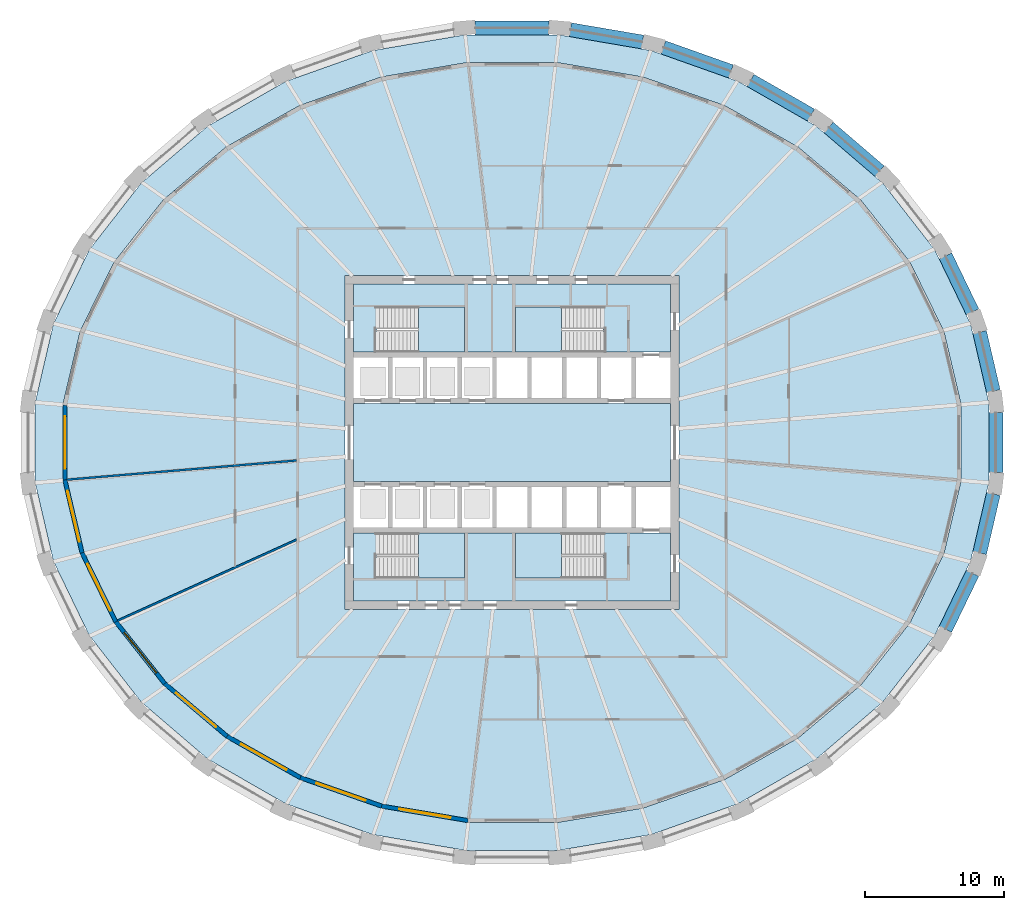
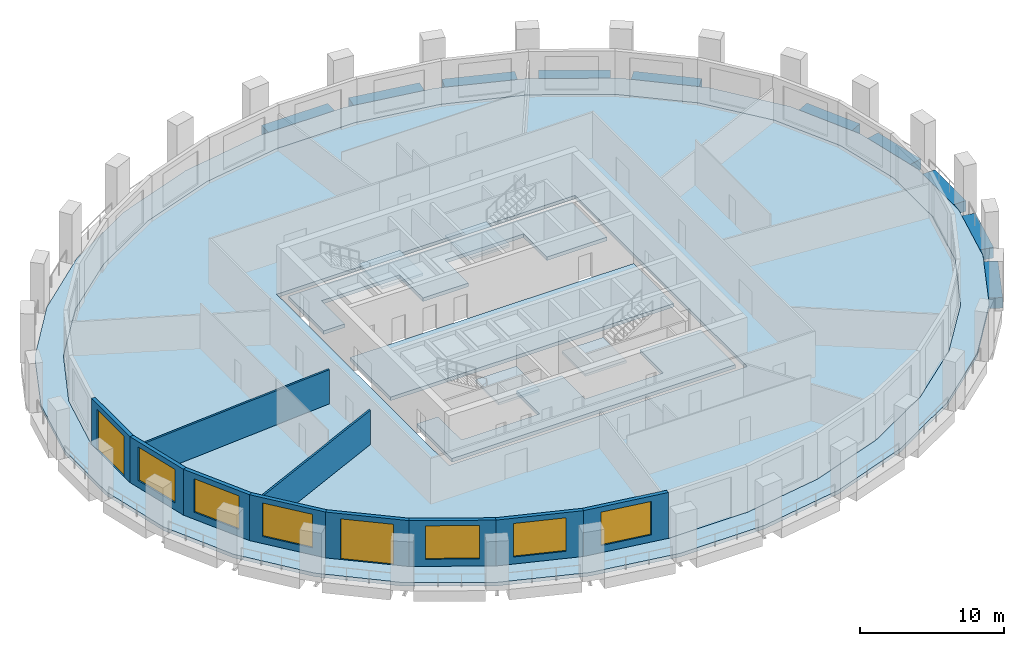
# One storey, part 2 of 10: 10 beams, 10 walls, 9 slabs, 6 windows, 2 doors, 8 openings, 4 elements without a shape of their own.
"""IFC4 building model written with IfcOpenShell, lengths in metres."""

from ifc_helpers import new_model, si_unit, direction, frame, frame_2d, origin, origin_2d, place, context, subcontext, project, spatial, polyline, rectangle, outline, extrude, material, layer, layer_set, material_profile, profile_set, type_object, element, fill, aggregate, save


model = new_model("IFC4")

# Units and contexts
model_context = context("Model", 3, precision=1e-05, world=origin(), true_north=direction((0.0, 1.0)))
body_context = subcontext(model_context, "Body", "Model", "MODEL_VIEW")
ifc_project = project(units=[si_unit("LENGTHUNIT", "METRE"), si_unit("AREAUNIT", "SQUARE_METRE"), si_unit("VOLUMEUNIT", "CUBIC_METRE"), si_unit("PLANEANGLEUNIT", "RADIAN"), si_unit("MASSUNIT", "GRAM", prefix="KILO")], contexts=[model_context])

# Site, building, storey
site_placement = place(None, origin())
site = spatial("IfcSite", under=ifc_project, at=site_placement, CompositionType="ELEMENT")
building_placement = place(site_placement, origin())
building = spatial("IfcBuilding", under=site, at=building_placement, Name="Halqa Exchange Tower", CompositionType="ELEMENT")
storey_placement = place(building_placement, frame((0.0, 0.0, 117.10009765625)))
storey = spatial("IfcBuildingStorey", under=building, at=storey_placement, Name="L26", CompositionType="ELEMENT", Elevation=117.10009765625)

# Beams
ifc_material_1 = material(Name="Concrete C60/75", Category="concrete")
ifc_material_profile = material_profile(ifc_material_1, rectangle(XDim=1.0, YDim=0.89990234375, at=origin_2d()), Name="1000 x 900")
ifc_profile_set = profile_set([ifc_material_profile], Name="Concrete C60/75")
beam_type = type_object("IfcBeamType", Name="RC spandrel beam 1000 x 900 C60/75", PredefinedType="SPANDREL", material=ifc_profile_set)
beam_1_placement = place(storey_placement, frame((34.603515625, 3.693115234375, -0.4501953125), z_axis=(-0.226066118641, 0.974111959686, 0.0), x_axis=(-0.974111959686, -0.226066118641, 0.0)))
element("IfcBeam", 1, at=beam_1_placement, inside=storey, type_object=beam_type, Name="Spandrel 1", PredefinedType="SPANDREL", context=body_context, shape_type="SweptSolid", body=[
    extrude(rectangle(XDim=1.0, YDim=0.89990234375, at=origin_2d()), origin(), (0.0, 0.0, 1.0), 4.358642578125),
])
beam_2_placement = place(storey_placement, frame((33.104248046875, 9.3955078125, -0.4501953125), z_axis=(-0.435117021664, 0.900373909805, 0.0), x_axis=(-0.900373909805, -0.435117021664, 0.0)))
element("IfcBeam", 2, at=beam_2_placement, inside=storey, type_object=beam_type, Name="Spandrel 2", PredefinedType="SPANDREL", context=body_context, shape_type="SweptSolid", body=[
    extrude(rectangle(XDim=1.0, YDim=0.89990234375, at=origin_2d()), origin(), (0.0, 0.0, 1.0), 4.471435546875),
])
beam_3_placement = place(storey_placement, frame((26.426513671875, 19.507568359375, -0.4501953125), z_axis=(-0.759285146525, 0.650758070459, 0.0), x_axis=(-0.650758070459, -0.759285146525, 0.0)))
element("IfcBeam", 3, at=beam_3_placement, inside=storey, type_object=beam_type, Name="Spandrel 4", PredefinedType="SPANDREL", context=body_context, shape_type="SweptSolid", body=[
    extrude(rectangle(XDim=1.0, YDim=0.89990234375, at=origin_2d()), origin(), (0.0, 0.0, 1.0), 4.829833984375),
])
beam_4_placement = place(storey_placement, frame((21.498291015625, 23.540283203125, -0.4501953125), z_axis=(-0.867751350461, 0.496998585283, 0.0), x_axis=(-0.496998585283, -0.867751350461, 0.0)))
element("IfcBeam", 4, at=beam_4_placement, inside=storey, type_object=beam_type, Name="Spandrel 5", PredefinedType="SPANDREL", context=body_context, shape_type="SweptSolid", body=[
    extrude(rectangle(XDim=1.0, YDim=0.89990234375, at=origin_2d()), origin(), (0.0, 0.0, 1.0), 5.014404296875),
])
beam_5_placement = place(storey_placement, frame((15.744140625, 26.677001953125, -0.4501953125), z_axis=(-0.942360462003, 0.334599401754, 0.0), x_axis=(-0.334599401754, -0.942360462003, 0.0)))
element("IfcBeam", 5, at=beam_5_placement, inside=storey, type_object=beam_type, Name="Spandrel 6", PredefinedType="SPANDREL", context=body_context, shape_type="SweptSolid", body=[
    extrude(rectangle(XDim=1.0, YDim=0.89990234375, at=origin_2d()), origin(), (0.0, 0.0, 1.0), 5.166015625),
])
beam_6_placement = place(storey_placement, frame((9.38037109375, 28.79541015625, -0.4501953125), z_axis=(-0.985775606533, 0.168066812797, 0.0), x_axis=(-0.168066812797, -0.985775606533, 0.0)))
element("IfcBeam", 6, at=beam_6_placement, inside=storey, type_object=beam_type, Name="Spandrel 7", PredefinedType="SPANDREL", context=body_context, shape_type="SweptSolid", body=[
    extrude(rectangle(XDim=1.0, YDim=0.89990234375, at=origin_2d()), origin(), (0.0, 0.0, 1.0), 5.265869140625),
])
beam_7_placement = place(storey_placement, frame((2.650634765625, 29.810791015625, -0.4501953125), z_axis=(-1.0, 0.0, 0.0), x_axis=(0.0, -1.0, 0.0)))
element("IfcBeam", 7, at=beam_7_placement, inside=storey, type_object=beam_type, Name="Spandrel 8", PredefinedType="SPANDREL", context=body_context, shape_type="SweptSolid", body=[
    extrude(rectangle(XDim=1.0, YDim=0.89990234375, at=origin_2d()), origin(), (0.0, 0.0, 1.0), 5.30126953125),
])
beam_8_placement = place(storey_placement, frame((31.15869140625, -13.42138671875, -0.4501953125), z_axis=(0.435117021664, 0.900373909805, 0.0), x_axis=(-0.900373909805, 0.435117021664, 0.0)))
element("IfcBeam", 8, at=beam_8_placement, inside=storey, type_object=beam_type, Name="Spandrel 30", PredefinedType="SPANDREL", context=body_context, shape_type="SweptSolid", body=[
    extrude(rectangle(XDim=1.0, YDim=0.89990234375, at=origin_2d()), origin(), (0.0, 0.0, 1.0), 4.471435546875),
])
beam_9_placement = place(storey_placement, frame((33.6181640625, -7.93896484375, -0.4501953125), z_axis=(0.226066118641, 0.974111959686, 0.0), x_axis=(-0.974111959686, 0.226066118641, 0.0)))
element("IfcBeam", 9, at=beam_9_placement, inside=storey, type_object=beam_type, Name="Spandrel 31", PredefinedType="SPANDREL", context=body_context, shape_type="SweptSolid", body=[
    extrude(rectangle(XDim=1.0, YDim=0.89990234375, at=origin_2d()), origin(), (0.0, 0.0, 1.0), 4.358642578125),
])
beam_10_placement = place(storey_placement, frame((34.779052734375, -2.15869140625, -0.4501953125), z_axis=(0.0, 1.0, 0.0), x_axis=(-1.0, 0.0, 0.0)))
element("IfcBeam", 10, at=beam_10_placement, inside=storey, type_object=beam_type, Name="Spandrel 32", PredefinedType="SPANDREL", context=body_context, shape_type="SweptSolid", body=[
    extrude(rectangle(XDim=1.0, YDim=0.89990234375, at=origin_2d()), origin(), (0.0, 0.0, 1.0), 4.3173828125),
])

# Slabs
ifc_layer_1 = layer(ifc_material_1, 0.300048828125)
ifc_layer_set_1 = layer_set([ifc_layer_1], Name="Concrete C60/75")
slab_type_1 = type_object("IfcSlabType", Name="Core floor slab 300", PredefinedType="FLOOR", material=ifc_layer_set_1)
slab_1_placement = place(storey_placement, frame((0.0, 0.0, -0.300048828125)))
element("IfcSlab", 11, at=slab_1_placement, inside=storey, type_object=slab_type_1, Name="Core floor slab", PredefinedType="FLOOR", context=body_context, shape_type="SweptSolid", body=[
    extrude(outline(polyline([(-11.39990234375, 2.800048828125), (11.39990234375, 2.800048828125), (11.39990234375, -2.800048828125), (-11.39990234375, -2.800048828125), (-11.39990234375, 2.800048828125)])), origin(), (0.0, 0.0, 1.0), 0.300048828125),
])
slab_2_placement = place(storey_placement, frame((0.0, 0.0, -0.300048828125)))
element("IfcSlab", 12, at=slab_2_placement, inside=storey, type_object=slab_type_1, Name="Core floor slab", PredefinedType="FLOOR", context=body_context, shape_type="SweptSolid", body=[
    extrude(outline(polyline([(-11.39990234375, 11.39990234375), (11.39990234375, 11.39990234375), (11.39990234375, 6.5), (6.550048828125, 6.5), (6.550048828125, 9.75), (0.25, 9.75), (0.25, 6.5), (-3.39990234375, 6.5), (-3.39990234375, 9.75), (-9.699951171875, 9.75), (-9.699951171875, 6.5), (-11.39990234375, 6.5), (-11.39990234375, 11.39990234375)])), origin(), (0.0, 0.0, 1.0), 0.300048828125),
])
slab_3_placement = place(storey_placement, frame((0.0, 0.0, -0.300048828125)))
element("IfcSlab", 13, at=slab_3_placement, inside=storey, type_object=slab_type_1, Name="Core floor slab", PredefinedType="FLOOR", context=body_context, shape_type="SweptSolid", body=[
    extrude(outline(polyline([(-9.699951171875, -9.75), (-3.39990234375, -9.75), (-3.39990234375, -6.5), (0.25, -6.5), (0.25, -9.75), (6.550048828125, -9.75), (6.550048828125, -6.5), (11.39990234375, -6.5), (11.39990234375, -11.39990234375), (-11.39990234375, -11.39990234375), (-11.39990234375, -6.5), (-9.699951171875, -6.5), (-9.699951171875, -9.75)])), origin(), (0.0, 0.0, 1.0), 0.300048828125),
])
ifc_material_2 = material(Name="Concrete C40/50", Category="concrete")
ifc_layer_2 = layer(ifc_material_2, 0.300048828125)
ifc_layer_set_2 = layer_set([ifc_layer_2], Name="Concrete C40/50")
slab_type_2 = type_object("IfcSlabType", Name="RC floor slab 300", PredefinedType="FLOOR", material=ifc_layer_set_2)
slab_4_placement = place(storey_placement, frame((0.0, 0.0, -0.300048828125)))
element("IfcSlab", 14, at=slab_4_placement, inside=storey, type_object=slab_type_2, Name="Floor slab", PredefinedType="FLOOR", context=body_context, shape_type="SweptSolid", body=[
    extrude(outline(polyline([(32.29248046875, 2.6962890625), (31.04736328125, 7.984375), (28.606689453125, 12.961669921875), (25.06689453125, 17.4365234375), (20.566162109375, 21.23828125), (15.2783203125, 24.222900390625), (9.40673828125, 26.277099609375), (3.176025390625, 27.32421875), (-3.176025390625, 27.32421875), (-9.40673828125, 26.277099609375), (-15.2783203125, 24.222900390625), (-20.566162109375, 21.23828125), (-25.06689453125, 17.4365234375), (-28.606689453125, 12.961669921875), (-31.04736328125, 7.984375), (-32.29248046875, 2.6962890625), (-32.29248046875, -2.6962890625), (-31.04736328125, -7.984375), (-28.606689453125, -12.961669921875), (-25.06689453125, -17.4365234375), (-20.566162109375, -21.23828125), (-15.2783203125, -24.222900390625), (-9.40673828125, -26.277099609375), (-3.176025390625, -27.32421875), (3.176025390625, -27.32421875), (9.40673828125, -26.277099609375), (15.2783203125, -24.222900390625), (20.566162109375, -21.23828125), (25.06689453125, -17.4365234375), (28.606689453125, -12.961669921875), (31.04736328125, -7.984375), (32.29248046875, -2.6962890625), (32.29248046875, 2.6962890625)]), holes=[polyline([(-12.0, -12.0), (12.0, -12.0), (12.0, 12.0), (-12.0, 12.0), (-12.0, -12.0)])]), origin(), (0.0, 0.0, 1.0), 0.300048828125),
])
ifc_layer_3 = layer(ifc_material_2, 0.300048828125)
ifc_layer_set_3 = layer_set([ifc_layer_3], Name="Concrete C40/50")
slab_type_3 = type_object("IfcSlabType", Name="RC loggia slab 300", PredefinedType="FLOOR", material=ifc_layer_set_3)
slab_5_placement = place(storey_placement, frame((0.0, 0.0, -0.300048828125)))
element("IfcSlab", 15, at=slab_5_placement, inside=storey, type_object=slab_type_3, Name="Loggia slab", PredefinedType="FLOOR", context=body_context, shape_type="SweptSolid", body=[
    extrude(outline(polyline([(34.279052734375, 2.87890625), (34.279052734375, -2.87890625), (32.968017578125, -8.528076171875), (30.393798828125, -13.855224609375), (26.651123046875, -18.65625), (21.880859375, -22.7451171875), (16.264404296875, -25.961669921875), (10.01806640625, -28.179443359375), (3.383056640625, -29.310791015625), (-3.383056640625, -29.310791015625), (-10.01806640625, -28.179443359375), (-16.264404296875, -25.961669921875), (-21.880859375, -22.7451171875), (-26.651123046875, -18.65625), (-30.393798828125, -13.855224609375), (-32.968017578125, -8.528076171875), (-34.279052734375, -2.87890625), (-34.279052734375, 2.87890625), (-32.968017578125, 8.528076171875), (-30.393798828125, 13.855224609375), (-26.651123046875, 18.65625), (-21.880859375, 22.7451171875), (-16.264404296875, 25.961669921875), (-10.01806640625, 28.179443359375), (-3.383056640625, 29.310791015625), (3.383056640625, 29.310791015625), (10.01806640625, 28.179443359375), (16.264404296875, 25.961669921875), (21.880859375, 22.7451171875), (26.651123046875, 18.65625), (30.393798828125, 13.855224609375), (32.968017578125, 8.528076171875), (34.279052734375, 2.87890625)]), holes=[polyline([(32.29248046875, 2.6962890625), (31.04736328125, 7.984375), (28.606689453125, 12.961669921875), (25.06689453125, 17.4365234375), (20.566162109375, 21.23828125), (15.2783203125, 24.222900390625), (9.40673828125, 26.277099609375), (3.176025390625, 27.32421875), (-3.176025390625, 27.32421875), (-9.40673828125, 26.277099609375), (-15.2783203125, 24.222900390625), (-20.566162109375, 21.23828125), (-25.06689453125, 17.4365234375), (-28.606689453125, 12.961669921875), (-31.04736328125, 7.984375), (-32.29248046875, 2.6962890625), (-32.29248046875, -2.6962890625), (-31.04736328125, -7.984375), (-28.606689453125, -12.961669921875), (-25.06689453125, -17.4365234375), (-20.566162109375, -21.23828125), (-15.2783203125, -24.222900390625), (-9.40673828125, -26.277099609375), (-3.176025390625, -27.32421875), (3.176025390625, -27.32421875), (9.40673828125, -26.277099609375), (15.2783203125, -24.222900390625), (20.566162109375, -21.23828125), (25.06689453125, -17.4365234375), (28.606689453125, -12.961669921875), (31.04736328125, -7.984375), (32.29248046875, -2.6962890625), (32.29248046875, 2.6962890625)])]), origin(), (0.0, 0.0, 1.0), 0.300048828125),
])

# Stair, slab
ifc_material_3 = material(Name="Concrete C30/37", Category="concrete")
stair_type = type_object("IfcStairType", Name="Exit stair 1500 wide", PredefinedType="HALF_TURN_STAIR", material=ifc_material_3)
stair_1_placement = place(storey_placement, origin())
stair_1 = element("IfcStair", 16, at=stair_1_placement, inside=storey, type_object=stair_type, Name="Exit stair ST1", PredefinedType="HALF_TURN_STAIR")
ifc_layer_4 = layer(ifc_material_3, 0.199951171875)
ifc_layer_set_4 = layer_set([ifc_layer_4], Name="Concrete C30/37")
slab_type_4 = type_object("IfcSlabType", Name="Stair landing 200 slab", PredefinedType="LANDING", material=ifc_layer_set_4)
slab_6_placement = place(storey_placement, frame((0.0, 0.0, 1.89990234375)))
slab_6 = element("IfcSlab", 17, at=slab_6_placement, type_object=slab_type_4, Name="ST1 landing 1", PredefinedType="LANDING", context=body_context, shape_type="SweptSolid", body=[
    extrude(outline(polyline([(-6.719970703125, 6.5), (-3.39990234375, 6.5), (-3.39990234375, 9.75), (-6.719970703125, 9.75), (-6.719970703125, 6.5)])), origin(), (0.0, 0.0, 1.0), 0.199951171875),
])
aggregate(stair_1, [slab_6])

stair_2_placement = place(storey_placement, origin())
stair_2 = element("IfcStair", 18, at=stair_2_placement, inside=storey, type_object=stair_type, Name="Exit stair ST2", PredefinedType="HALF_TURN_STAIR")
slab_7_placement = place(storey_placement, frame((0.0, 0.0, 1.89990234375)))
slab_7 = element("IfcSlab", 19, at=slab_7_placement, type_object=slab_type_4, Name="ST2 landing 1", PredefinedType="LANDING", context=body_context, shape_type="SweptSolid", body=[
    extrude(outline(polyline([(0.25, 6.5), (3.570068359375, 6.5), (3.570068359375, 9.75), (0.25, 9.75), (0.25, 6.5)])), origin(), (0.0, 0.0, 1.0), 0.199951171875),
])
aggregate(stair_2, [slab_7])

stair_3_placement = place(storey_placement, origin())
stair_3 = element("IfcStair", 20, at=stair_3_placement, inside=storey, type_object=stair_type, Name="Exit stair ST3", PredefinedType="HALF_TURN_STAIR")
slab_8_placement = place(storey_placement, frame((0.0, 0.0, 1.89990234375)))
slab_8 = element("IfcSlab", 21, at=slab_8_placement, type_object=slab_type_4, Name="ST3 landing 1", PredefinedType="LANDING", context=body_context, shape_type="SweptSolid", body=[
    extrude(outline(polyline([(-6.719970703125, -9.75), (-3.39990234375, -9.75), (-3.39990234375, -6.5), (-6.719970703125, -6.5), (-6.719970703125, -9.75)])), origin(), (0.0, 0.0, 1.0), 0.199951171875),
])
aggregate(stair_3, [slab_8])

stair_4_placement = place(storey_placement, origin())
stair_4 = element("IfcStair", 22, at=stair_4_placement, inside=storey, type_object=stair_type, Name="Exit stair ST4", PredefinedType="HALF_TURN_STAIR")
slab_9_placement = place(storey_placement, frame((0.0, 0.0, 1.89990234375)))
slab_9 = element("IfcSlab", 23, at=slab_9_placement, type_object=slab_type_4, Name="ST4 landing 1", PredefinedType="LANDING", context=body_context, shape_type="SweptSolid", body=[
    extrude(outline(polyline([(0.25, -9.75), (3.570068359375, -9.75), (3.570068359375, -6.5), (0.25, -6.5), (0.25, -9.75)])), origin(), (0.0, 0.0, 1.0), 0.199951171875),
])
aggregate(stair_4, [slab_9])

# Walls
ifc_material_4 = material(Name="Fire-rated gypsum board")
ifc_layer_5 = layer(ifc_material_4, 0.14990234375)
ifc_layer_set_5 = layer_set([ifc_layer_5], Name="Fire-rated gypsum board")
wall_type_1 = type_object("IfcWallType", Name="Fire partition EI 60 150", PredefinedType="PARTITIONING", material=ifc_layer_set_5)
wall_1_placement = place(storey_placement, frame((-31.986328125, -2.664794921875, 0.0), z_axis=(0.0, 0.0, 1.0), x_axis=(0.996533353756, 0.083194199634, 0.0)))
element("IfcWall", 24, at=wall_1_placement, inside=storey, type_object=wall_type_1, Name="L26-PWL-001", PredefinedType="PARTITIONING", context=body_context, shape_type="SweptSolid", body=[
    extrude(outline(polyline([(0.005615234375, -0.074951171875), (1.7294921875, -0.074951171875), (3.453125, -0.074951171875), (5.177001953125, -0.074951171875), (6.900634765625, -0.074951171875), (8.62451171875, -0.074951171875), (10.34814453125, -0.074951171875), (12.072021484375, -0.074951171875), (12.072021484375, -0.07470703125), (12.073974609375, -0.074951171875), (13.570068359375, -0.074951171875), (15.06640625, -0.074951171875), (16.5625, -0.074951171875), (16.574462890625, 0.068359375), (16.574462890625, 0.074951171875), (15.111328125, 0.074951171875), (13.64794921875, 0.074951171875), (12.184814453125, 0.074951171875), (12.184814453125, 0.073974609375), (12.171630859375, 0.074951171875), (10.432861328125, 0.074951171875), (8.694091796875, 0.074951171875), (6.955078125, 0.074951171875), (5.21630859375, 0.074951171875), (3.4775390625, 0.074951171875), (1.73876953125, 0.074951171875), (0.0, 0.074951171875), (0.0, -0.036376953125), (0.005615234375, -0.074951171875)])), origin(), (0.0, 0.0, 1.0), 2.909912109375),
])
wall_2_placement = place(storey_placement, frame((-28.352294921875, -12.804443359375, 0.0), z_axis=(0.0, 0.0, 1.0), x_axis=(0.911239169411, 0.41187762276, 0.0)))
element("IfcWall", 25, at=wall_2_placement, inside=storey, type_object=wall_type_1, Name="L26-PWL-003", PredefinedType="PARTITIONING", context=body_context, shape_type="SweptSolid", body=[
    extrude(outline(polyline([(0.021728515625, -0.074951171875), (1.78125, -0.074951171875), (3.540771484375, -0.074951171875), (5.30029296875, -0.074951171875), (7.059814453125, -0.074951171875), (8.8193359375, -0.074951171875), (10.578857421875, -0.074951171875), (12.338134765625, -0.074951171875), (14.09765625, -0.074951171875), (14.16552734375, 0.074951171875), (12.565185546875, 0.074951171875), (10.96484375, 0.074951171875), (9.3642578125, 0.074951171875), (9.364013671875, 0.07421875), (9.3623046875, 0.074951171875), (7.489990234375, 0.074951171875), (5.617431640625, 0.074951171875), (3.744873046875, 0.074951171875), (1.87255859375, 0.074951171875), (0.0, 0.074951171875), (0.0, 0.07421875), (0.002197265625, 0.003173828125), (0.021728515625, -0.074951171875)])), origin(), (0.0, 0.0, 1.0), 2.909912109375),
])

# Wall, opening, door
ifc_material_5 = material(Name="Limestone cladding", Category="masonry")
ifc_layer_6 = layer(ifc_material_5, 0.0400390625)
ifc_material_6 = material(Name="Ventilated cavity")
ifc_layer_7 = layer(ifc_material_6, 0.030029296875, ventilated=True)
ifc_material_7 = material(Name="Mineral wool insulation")
ifc_layer_8 = layer(ifc_material_7, 0.10009765625)
ifc_layer_9 = layer(ifc_material_3, 0.10009765625)
ifc_material_8 = material(Name="Internal plaster")
ifc_layer_10 = layer(ifc_material_8, 0.030029296875)
ifc_layer_set_6 = layer_set([ifc_layer_6, ifc_layer_7, ifc_layer_8, ifc_layer_9, ifc_layer_10], Name="Stone-faced insulated wall 300")
wall_type_2 = type_object("IfcWallType", Name="Stone-faced insulated wall 300", PredefinedType="STANDARD", material=ifc_layer_set_6)
wall_3_placement = place(storey_placement, frame((-32.142578125, 2.678955078125, 0.0), z_axis=(0.0, 0.0, 1.0), x_axis=(0.0, -1.0, 0.0)))
wall_3 = element("IfcWall", 26, at=wall_3_placement, inside=storey, type_object=wall_type_2, Name="Glass-line wall 16", PredefinedType="STANDARD", context=body_context, shape_type="SweptSolid", body=[
    extrude(outline(polyline([(-0.017333984375, -0.14990234375), (5.375244140625, -0.14990234375), (5.340576171875, 0.14990234375), (0.017333984375, 0.14990234375), (-0.017333984375, -0.14990234375)])), origin(), (0.0, 0.0, 1.0), 3.89990234375),
])
opening_1_placement = place(wall_3_placement, frame((0.803955078125, 0.0, 0.0)))
opening_1 = element("IfcOpeningElement", 27, at=opening_1_placement, cuts=wall_3, Name="Opening LG-F2-04", PredefinedType="OPENING", context=body_context, shape_type="SweptSolid", body=[
    extrude(rectangle(XDim=3.75, YDim=3.449951171875, at=frame_2d((1.875, 1.72509765625))), frame((0.0, 0.162109375, 0.0), z_axis=(0.0, -1.0, 0.0), x_axis=(1.0, 0.0, 0.0)), (0.0, 0.0, 1.0), 0.323974609375),
])
ifc_material_9 = material(Name="Clear low-emissivity glass in aluminium frame", Category="aluminium")
door_type = type_object("IfcDoorType", Name="Glazed sliding loggia door 3750 x 3450", OperationType="DOUBLE_DOOR_SLIDING", PredefinedType="DOOR", material=ifc_material_9)
door_1_placement = place(opening_1_placement, origin())
door_1 = element("IfcDoor", 28, at=door_1_placement, inside=storey, type_object=door_type, Name="Loggia door 4", OperationType="DOUBLE_DOOR_SLIDING", OverallHeight=3.449951171875, OverallWidth=3.75, PredefinedType="DOOR", context=body_context, shape_type="SweptSolid", body=[
    extrude(rectangle(XDim=3.75, YDim=3.449951171875, at=frame_2d((1.875, 1.72509765625))), frame((0.0, 0.02490234375, 0.0), z_axis=(0.0, -1.0, 0.0), x_axis=(1.0, 0.0, 0.0)), (0.0, 0.0, 1.0), 0.050048828125),
])
fill(opening_1, door_1)

# Wall, opening, window
wall_4_placement = place(storey_placement, frame((-32.142578125, -2.678955078125, 0.0), z_axis=(0.0, 0.0, 1.0), x_axis=(0.229200658045, -0.973379195561, 0.0)))
wall_4 = element("IfcWall", 29, at=wall_4_placement, inside=storey, type_object=wall_type_2, Name="Glass-line wall 17", PredefinedType="STANDARD", context=body_context, shape_type="SweptSolid", body=[
    extrude(outline(polyline([(-0.017333984375, -0.14990234375), (5.415283203125, -0.14990234375), (5.381591796875, 0.14990234375), (0.017333984375, 0.14990234375), (-0.017333984375, -0.14990234375)])), origin(), (0.0, 0.0, 1.0), 3.89990234375),
])
opening_2_placement = place(wall_4_placement, frame((0.82421875, 0.0, 0.60009765625)))
opening_2 = element("IfcOpeningElement", 30, at=opening_2_placement, cuts=wall_4, Name="Opening W-F2-17", PredefinedType="OPENING", context=body_context, shape_type="SweptSolid", body=[
    extrude(rectangle(XDim=3.75, YDim=2.85009765625, at=frame_2d((1.875, 1.425048828125))), frame((0.0, 0.162109375, 0.0), z_axis=(0.0, -1.0, 0.0), x_axis=(1.0, 0.0, 0.0)), (0.0, 0.0, 1.0), 0.323974609375),
])
window_type = type_object("IfcWindowType", Name="Fixed clear glazed window 3750 x 2850", PartitioningType="TRIPLE_PANEL_VERTICAL", PredefinedType="WINDOW", material=ifc_material_9)
window_1_placement = place(opening_2_placement, origin())
window_1 = element("IfcWindow", 31, at=window_1_placement, inside=storey, type_object=window_type, Name="Window 2", OverallHeight=2.85009765625, OverallWidth=3.75, PartitioningType="TRIPLE_PANEL_VERTICAL", PredefinedType="WINDOW", context=body_context, shape_type="SweptSolid", body=[
    extrude(rectangle(XDim=3.75, YDim=2.85009765625, at=frame_2d((1.875, 1.425048828125))), frame((0.0, 0.030029296875, 0.0), z_axis=(0.0, -1.0, 0.0), x_axis=(1.0, 0.0, 0.0)), (0.0, 0.0, 1.0), 0.06005859375),
])
fill(opening_2, window_1)

wall_5_placement = place(storey_placement, frame((-30.9052734375, -7.93359375, 0.0), z_axis=(0.0, 0.0, 1.0), x_axis=(0.440306401535, -0.897847577692, 0.0)))
wall_5 = element("IfcWall", 32, at=wall_5_placement, inside=storey, type_object=wall_type_2, Name="Glass-line wall 18", PredefinedType="STANDARD", context=body_context, shape_type="SweptSolid", body=[
    extrude(outline(polyline([(-0.016845703125, -0.14990234375), (5.526611328125, -0.14990234375), (5.494384765625, 0.14990234375), (0.016845703125, 0.14990234375), (-0.016845703125, -0.14990234375)])), origin(), (0.0, 0.0, 1.0), 3.89990234375),
])
opening_3_placement = place(wall_5_placement, frame((0.880126953125, 0.0, 0.60009765625)))
opening_3 = element("IfcOpeningElement", 33, at=opening_3_placement, cuts=wall_5, Name="Opening W-F2-18", PredefinedType="OPENING", context=body_context, shape_type="SweptSolid", body=[
    extrude(rectangle(XDim=3.75, YDim=2.85009765625, at=frame_2d((1.875, 1.425048828125))), frame((0.0, 0.162109375, 0.0), z_axis=(0.0, -1.0, 0.0), x_axis=(1.0, 0.0, 0.0)), (0.0, 0.0, 1.0), 0.323974609375),
])
window_2_placement = place(opening_3_placement, origin())
window_2 = element("IfcWindow", 34, at=window_2_placement, inside=storey, type_object=window_type, Name="Window 2", OverallHeight=2.85009765625, OverallWidth=3.75, PartitioningType="TRIPLE_PANEL_VERTICAL", PredefinedType="WINDOW", context=body_context, shape_type="SweptSolid", body=[
    extrude(rectangle(XDim=3.75, YDim=2.85009765625, at=frame_2d((1.875, 1.425048828125))), frame((0.0, 0.030029296875, 0.0), z_axis=(0.0, -1.0, 0.0), x_axis=(1.0, 0.0, 0.0)), (0.0, 0.0, 1.0), 0.06005859375),
])
fill(opening_3, window_2)

wall_6_placement = place(storey_placement, frame((-28.47900390625, -12.881103515625, 0.0), z_axis=(0.0, 0.0, 1.0), x_axis=(0.62038332391, -0.784298751379, 0.0)))
wall_6 = element("IfcWall", 35, at=wall_6_placement, inside=storey, type_object=wall_type_2, Name="Glass-line wall 19", PredefinedType="STANDARD", context=body_context, shape_type="SweptSolid", body=[
    extrude(outline(polyline([(-0.01611328125, -0.14990234375), (5.68994140625, -0.14990234375), (5.65966796875, 0.14990234375), (0.01611328125, 0.14990234375), (-0.01611328125, -0.14990234375)])), origin(), (0.0, 0.0, 1.0), 3.89990234375),
])
opening_4_placement = place(wall_6_placement, frame((0.96240234375, 0.0, 0.60009765625)))
opening_4 = element("IfcOpeningElement", 36, at=opening_4_placement, cuts=wall_6, Name="Opening W-F2-19", PredefinedType="OPENING", context=body_context, shape_type="SweptSolid", body=[
    extrude(rectangle(XDim=3.75, YDim=2.85009765625, at=frame_2d((1.875, 1.425048828125))), frame((0.0, 0.162109375, 0.0), z_axis=(0.0, -1.0, 0.0), x_axis=(1.0, 0.0, 0.0)), (0.0, 0.0, 1.0), 0.323974609375),
])
window_3_placement = place(opening_4_placement, origin())
window_3 = element("IfcWindow", 37, at=window_3_placement, inside=storey, type_object=window_type, Name="Window 2", OverallHeight=2.85009765625, OverallWidth=3.75, PartitioningType="TRIPLE_PANEL_VERTICAL", PredefinedType="WINDOW", context=body_context, shape_type="SweptSolid", body=[
    extrude(rectangle(XDim=3.75, YDim=2.85009765625, at=frame_2d((1.875, 1.425048828125))), frame((0.0, 0.030029296875, 0.0), z_axis=(0.0, -1.0, 0.0), x_axis=(1.0, 0.0, 0.0)), (0.0, 0.0, 1.0), 0.06005859375),
])
fill(opening_4, window_3)

# Wall, opening, door
wall_7_placement = place(storey_placement, frame((-24.95849609375, -17.331787109375, 0.0), z_axis=(0.0, 0.0, 1.0), x_axis=(0.763937302001, -0.645290476151, 0.0)))
wall_7 = element("IfcWall", 38, at=wall_7_placement, inside=storey, type_object=wall_type_2, Name="Glass-line wall 20", PredefinedType="STANDARD", context=body_context, shape_type="SweptSolid", body=[
    extrude(outline(polyline([(-0.01513671875, -0.14990234375), (5.87646484375, -0.14990234375), (5.84814453125, 0.14990234375), (0.01513671875, 0.14990234375), (-0.01513671875, -0.14990234375)])), origin(), (0.0, 0.0, 1.0), 3.89990234375),
])
opening_5_placement = place(wall_7_placement, frame((1.05615234375, 0.0, 0.0)))
opening_5 = element("IfcOpeningElement", 39, at=opening_5_placement, cuts=wall_7, Name="Opening LG-F2-05", PredefinedType="OPENING", context=body_context, shape_type="SweptSolid", body=[
    extrude(rectangle(XDim=3.75, YDim=3.449951171875, at=frame_2d((1.875, 1.72509765625))), frame((0.0, 0.162109375, 0.0), z_axis=(0.0, -1.0, 0.0), x_axis=(1.0, 0.0, 0.0)), (0.0, 0.0, 1.0), 0.323974609375),
])
door_2_placement = place(opening_5_placement, origin())
door_2 = element("IfcDoor", 40, at=door_2_placement, inside=storey, type_object=door_type, Name="Loggia door 5", OperationType="DOUBLE_DOOR_SLIDING", OverallHeight=3.449951171875, OverallWidth=3.75, PredefinedType="DOOR", context=body_context, shape_type="SweptSolid", body=[
    extrude(rectangle(XDim=3.75, YDim=3.449951171875, at=frame_2d((1.875, 1.72509765625))), frame((0.0, 0.02490234375, 0.0), z_axis=(0.0, -1.0, 0.0), x_axis=(1.0, 0.0, 0.0)), (0.0, 0.0, 1.0), 0.050048828125),
])
fill(opening_5, door_2)

# Wall, opening, window
wall_8_placement = place(storey_placement, frame((-20.47998046875, -21.11474609375, 0.0), z_axis=(0.0, 0.0, 1.0), x_axis=(0.870858332497, -0.491534093142, 0.0)))
wall_8 = element("IfcWall", 41, at=wall_8_placement, inside=storey, type_object=wall_type_2, Name="Glass-line wall 21", PredefinedType="STANDARD", context=body_context, shape_type="SweptSolid", body=[
    extrude(outline(polyline([(-0.01416015625, -0.14990234375), (6.0576171875, -0.14990234375), (6.03076171875, 0.14990234375), (0.01416015625, 0.14990234375), (-0.01416015625, -0.14990234375)])), origin(), (0.0, 0.0, 1.0), 3.89990234375),
])
opening_6_placement = place(wall_8_placement, frame((1.147216796875, 0.0, 0.60009765625)))
opening_6 = element("IfcOpeningElement", 42, at=opening_6_placement, cuts=wall_8, Name="Opening W-F2-21", PredefinedType="OPENING", context=body_context, shape_type="SweptSolid", body=[
    extrude(rectangle(XDim=3.75, YDim=2.85009765625, at=frame_2d((1.875, 1.425048828125))), frame((0.0, 0.162109375, 0.0), z_axis=(0.0, -1.0, 0.0), x_axis=(1.0, 0.0, 0.0)), (0.0, 0.0, 1.0), 0.323974609375),
])
window_4_placement = place(opening_6_placement, origin())
window_4 = element("IfcWindow", 43, at=window_4_placement, inside=storey, type_object=window_type, Name="Window 2", OverallHeight=2.85009765625, OverallWidth=3.75, PartitioningType="TRIPLE_PANEL_VERTICAL", PredefinedType="WINDOW", context=body_context, shape_type="SweptSolid", body=[
    extrude(rectangle(XDim=3.75, YDim=2.85009765625, at=frame_2d((1.875, 1.425048828125))), frame((0.0, 0.030029296875, 0.0), z_axis=(0.0, -1.0, 0.0), x_axis=(1.0, 0.0, 0.0)), (0.0, 0.0, 1.0), 0.06005859375),
])
fill(opening_6, window_4)

wall_9_placement = place(storey_placement, frame((-15.21630859375, -24.085693359375, 0.0), z_axis=(0.0, 0.0, 1.0), x_axis=(0.94389706045, -0.330239820849, 0.0)))
wall_9 = element("IfcWall", 44, at=wall_9_placement, inside=storey, type_object=wall_type_2, Name="Glass-line wall 22", PredefinedType="STANDARD", context=body_context, shape_type="SweptSolid", body=[
    extrude(outline(polyline([(-0.013427734375, -0.14990234375), (6.20703125, -0.14990234375), (6.181640625, 0.14990234375), (0.013427734375, 0.14990234375), (-0.013427734375, -0.14990234375)])), origin(), (0.0, 0.0, 1.0), 3.89990234375),
])
opening_7_placement = place(wall_9_placement, frame((1.22216796875, 0.0, 0.60009765625)))
opening_7 = element("IfcOpeningElement", 45, at=opening_7_placement, cuts=wall_9, Name="Opening W-F2-22", PredefinedType="OPENING", context=body_context, shape_type="SweptSolid", body=[
    extrude(rectangle(XDim=3.75, YDim=2.85009765625, at=frame_2d((1.875, 1.425048828125))), frame((0.0, 0.162109375, 0.0), z_axis=(0.0, -1.0, 0.0), x_axis=(1.0, 0.0, 0.0)), (0.0, 0.0, 1.0), 0.323974609375),
])
window_5_placement = place(opening_7_placement, origin())
window_5 = element("IfcWindow", 46, at=window_5_placement, inside=storey, type_object=window_type, Name="Window 2", OverallHeight=2.85009765625, OverallWidth=3.75, PartitioningType="TRIPLE_PANEL_VERTICAL", PredefinedType="WINDOW", context=body_context, shape_type="SweptSolid", body=[
    extrude(rectangle(XDim=3.75, YDim=2.85009765625, at=frame_2d((1.875, 1.425048828125))), frame((0.0, 0.030029296875, 0.0), z_axis=(0.0, -1.0, 0.0), x_axis=(1.0, 0.0, 0.0)), (0.0, 0.0, 1.0), 0.06005859375),
])
fill(opening_7, window_5)

wall_10_placement = place(storey_placement, frame((-9.369384765625, -26.13134765625, 0.0), z_axis=(0.0, 0.0, 1.0), x_axis=(0.986176011722, -0.165701158427, 0.0)))
wall_10 = element("IfcWall", 47, at=wall_10_placement, inside=storey, type_object=wall_type_2, Name="Glass-line wall 23", PredefinedType="STANDARD", context=body_context, shape_type="SweptSolid", body=[
    extrude(outline(polyline([(-0.0126953125, -0.14990234375), (6.30517578125, -0.14990234375), (6.2802734375, 0.14990234375), (0.0126953125, 0.14990234375), (-0.0126953125, -0.14990234375)])), origin(), (0.0, 0.0, 1.0), 3.89990234375),
])
opening_8_placement = place(wall_10_placement, frame((1.271484375, 0.0, 0.60009765625)))
opening_8 = element("IfcOpeningElement", 48, at=opening_8_placement, cuts=wall_10, Name="Opening W-F2-23", PredefinedType="OPENING", context=body_context, shape_type="SweptSolid", body=[
    extrude(rectangle(XDim=3.75, YDim=2.85009765625, at=frame_2d((1.875, 1.425048828125))), frame((0.0, 0.162109375, 0.0), z_axis=(0.0, -1.0, 0.0), x_axis=(1.0, 0.0, 0.0)), (0.0, 0.0, 1.0), 0.323974609375),
])
window_6_placement = place(opening_8_placement, origin())
window_6 = element("IfcWindow", 49, at=window_6_placement, inside=storey, type_object=window_type, Name="Window 2", OverallHeight=2.85009765625, OverallWidth=3.75, PartitioningType="TRIPLE_PANEL_VERTICAL", PredefinedType="WINDOW", context=body_context, shape_type="SweptSolid", body=[
    extrude(rectangle(XDim=3.75, YDim=2.85009765625, at=frame_2d((1.875, 1.425048828125))), frame((0.0, 0.030029296875, 0.0), z_axis=(0.0, -1.0, 0.0), x_axis=(1.0, 0.0, 0.0)), (0.0, 0.0, 1.0), 0.06005859375),
])
fill(opening_8, window_6)

save(model, "model.ifc")
